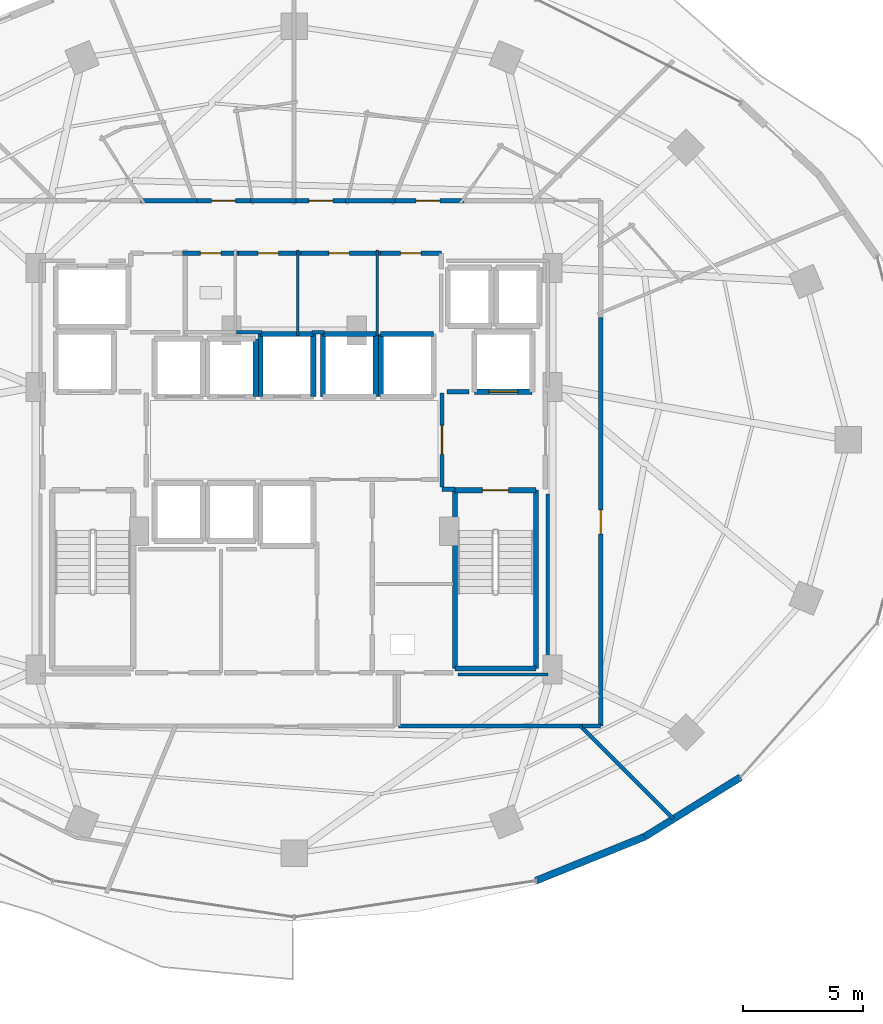
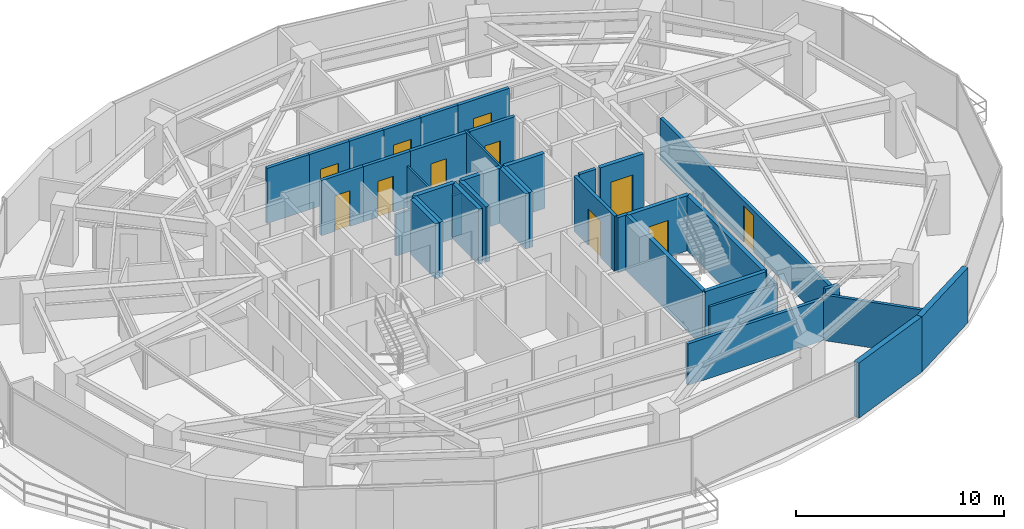
# One storey, part 26 of 31: 39 walls, 11 doors, 11 openings.
"""IFC4 building model written with IfcOpenShell, lengths in metres."""

from ifc_helpers import new_model, si_unit, direction, frame, frame_2d, origin, place, context, subcontext, project, spatial, rectangle, extrude, material, layer, layer_set, type_object, element, fill, save


model = new_model("IFC4")

# Units and contexts
model_context = context("Model", 3, precision=1e-05, world=origin(), true_north=direction((0.0, 1.0)))
body_context = subcontext(model_context, "Body", "Model", "MODEL_VIEW")
ifc_project = project(units=[si_unit("LENGTHUNIT", "METRE"), si_unit("AREAUNIT", "SQUARE_METRE"), si_unit("VOLUMEUNIT", "CUBIC_METRE"), si_unit("PLANEANGLEUNIT", "RADIAN"), si_unit("MASSUNIT", "GRAM", prefix="KILO")], contexts=[model_context])

# Site, building, storey
site_placement = place(None, origin())
site = spatial("IfcSite", under=ifc_project, at=site_placement, CompositionType="ELEMENT")
building_placement = place(site_placement, origin())
building = spatial("IfcBuilding", under=site, at=building_placement, Name="Vorneva Point Tower", CompositionType="ELEMENT")
storey_placement = place(building_placement, frame((0.0, 0.0, 103.300048828125)))
storey = spatial("IfcBuildingStorey", under=building, at=storey_placement, Name="L27", CompositionType="ELEMENT", Elevation=103.300048828125)

# Wall, opening, door
ifc_material_1 = material(Name="Concrete B60 (C50/60)", Category="concrete")
ifc_layer_1 = layer(ifc_material_1, 0.5)
ifc_layer_set_1 = layer_set([ifc_layer_1], Name="Concrete B60 (C50/60)")
wall_type_1 = type_object("IfcWallType", Name="WL-CORE-500", PredefinedType="SHEAR", material=ifc_layer_set_1)
wall_1_placement = place(storey_placement, frame((45.5, 28.0, 0.0), z_axis=(0.0, 0.0, 1.0), x_axis=(1.0, 0.0, 0.0)))
wall_1 = element("IfcWall", 1, at=wall_1_placement, inside=storey, type_object=wall_type_1, Name="L27 Lift FFL2 Shaft Wall -Y", PredefinedType="SHEAR", context=body_context, shape_type="SweptSolid", body=[
    extrude(rectangle(XDim=2.39990234375, YDim=0.219970703125, at=frame_2d((1.199951171875, 0.0))), origin(), (0.0, 0.0, 1.0), 3.239990234375),
])
opening_1_placement = place(wall_1_placement, frame((0.60009765625, 0.0, 0.0)))
opening_1 = element("IfcOpeningElement", 2, at=opening_1_placement, cuts=wall_1, Name="Opening LD-02", PredefinedType="OPENING", context=body_context, shape_type="SweptSolid", body=[
    extrude(rectangle(XDim=1.199951171875, YDim=2.199951171875, at=frame_2d((0.60009765625, 1.10009765625))), frame((0.0, 0.125, 0.0), z_axis=(0.0, -1.0, 0.0), x_axis=(1.0, 0.0, 0.0)), (0.0, 0.0, 1.0), 0.249755859375),
])
ifc_material_2 = material(Name="Brushed stainless steel S304", Category="steel")
door_type_1 = type_object("IfcDoorType", Name="LD-FIRE-1200", OperationType="SLIDING_TO_LEFT", PredefinedType="DOOR", material=ifc_material_2)
door_1_placement = place(opening_1_placement, origin())
door_1 = element("IfcDoor", 3, at=door_1_placement, inside=storey, type_object=door_type_1, Name="L27 Lift FFL2 Sliding Landing Door", OperationType="SLIDING_TO_LEFT", OverallHeight=2.199951171875, OverallWidth=1.199951171875, PredefinedType="DOOR", context=body_context, shape_type="SweptSolid", body=[
    extrude(rectangle(XDim=1.199951171875, YDim=2.199951171875, at=frame_2d((0.60009765625, 1.10009765625))), frame((0.0, 0.02490234375, 0.0), z_axis=(0.0, -1.0, 0.0), x_axis=(1.0, 0.0, 0.0)), (0.0, 0.0, 1.0), 0.050048828125),
])
fill(opening_1, door_1)

# Walls
ifc_material_3 = material(Name="Precast concrete B50 (C40/50)", Category="concrete")
ifc_layer_2 = layer(ifc_material_3, 0.300048828125)
ifc_layer_set_2 = layer_set([ifc_layer_2], Name="Precast concrete B50 (C40/50)")
wall_type_2 = type_object("IfcWallType", Name="WL-EXT-300", PredefinedType="STANDARD", material=ifc_layer_set_2)
wall_2_placement = place(storey_placement, frame((48.04541015625, 7.660888671875, 0.0), z_axis=(0.0, 0.0, 1.0), x_axis=(0.927122233109, 0.374759075775, 0.0)))
element("IfcWall", 4, at=wall_2_placement, inside=storey, type_object=wall_type_2, Name="L27 Pale-Metal Facade Spandrel Wall 14.1", PredefinedType="STANDARD", context=body_context, shape_type="SweptSolid", body=[
    extrude(rectangle(XDim=4.89501953125, YDim=0.300048828125, at=frame_2d((2.447509765625, 0.0))), origin(), (0.0, 0.0, 1.0), 3.239990234375),
])
wall_3_placement = place(storey_placement, frame((52.583740234375, 9.495361328125, 0.0), z_axis=(0.0, 0.0, 1.0), x_axis=(0.849684479743, 0.527291461038, 0.0)))
element("IfcWall", 5, at=wall_3_placement, inside=storey, type_object=wall_type_2, Name="L27 Pale-Metal Facade Spandrel Wall 14.2", PredefinedType="STANDARD", context=body_context, shape_type="SweptSolid", body=[
    extrude(rectangle(XDim=4.681396484375, YDim=0.300048828125, at=frame_2d((2.3408203125, 0.0))), origin(), (0.0, 0.0, 1.0), 3.239990234375),
])
ifc_material_4 = material(Name="Fire-rated acoustic gypsum stud partition", Category="gypsum")
ifc_layer_3 = layer(ifc_material_4, 0.110107421875)
ifc_layer_set_3 = layer_set([ifc_layer_3], Name="Fire-rated acoustic gypsum stud partition")
wall_type_3 = type_object("IfcWallType", Name="WL-PART-110", PredefinedType="PARTITIONING", material=ifc_layer_set_3)
wall_4_placement = place(storey_placement, frame((38.14990234375, 30.340087890625, 0.0), z_axis=(0.0, 0.0, 1.0), x_axis=(0.0, 1.0, 0.0)))
element("IfcWall", 6, at=wall_4_placement, inside=storey, type_object=wall_type_3, Name="L27 Interior Partition 019", PredefinedType="PARTITIONING", context=body_context, shape_type="SweptSolid", body=[
    extrude(rectangle(XDim=3.559814453125, YDim=0.110107421875, at=frame_2d((1.77978515625, 0.0))), origin(), (0.0, 0.0, 1.0), 2.431884765625),
])
wall_5_placement = place(storey_placement, frame((41.449951171875, 30.340087890625, 0.0), z_axis=(0.0, 0.0, 1.0), x_axis=(0.0, 1.0, 0.0)))
element("IfcWall", 7, at=wall_5_placement, inside=storey, type_object=wall_type_3, Name="L27 Interior Partition 021", PredefinedType="PARTITIONING", context=body_context, shape_type="SweptSolid", body=[
    extrude(rectangle(XDim=3.559814453125, YDim=0.110107421875, at=frame_2d((1.77978515625, 0.0))), origin(), (0.0, 0.0, 1.0), 3.239990234375),
])
ifc_layer_4 = layer(ifc_material_4, 0.139892578125)
ifc_layer_set_4 = layer_set([ifc_layer_4], Name="Fire-rated acoustic gypsum stud partition")
wall_type_4 = type_object("IfcWallType", Name="WL-PART-140", PredefinedType="PARTITIONING", material=ifc_layer_set_4)
wall_6_placement = place(storey_placement, frame((35.60009765625, 30.47998046875, 0.0), z_axis=(0.0, 0.0, 1.0), x_axis=(1.0, 0.0, 0.0)))
element("IfcWall", 8, at=wall_6_placement, inside=storey, type_object=wall_type_4, Name="L27 Interior Closure Partition 099", PredefinedType="PARTITIONING", context=body_context, shape_type="SweptSolid", body=[
    extrude(rectangle(XDim=1.06494140625, YDim=0.139892578125, at=frame_2d((0.532470703125, 0.0))), origin(), (0.0, 0.0, 1.0), 2.431884765625),
])
wall_7_placement = place(storey_placement, frame((38.735107421875, 30.47998046875, 0.0), z_axis=(0.0, 0.0, 1.0), x_axis=(1.0, 0.0, 0.0)))
element("IfcWall", 9, at=wall_7_placement, inside=storey, type_object=wall_type_4, Name="L27 Interior Closure Partition 100", PredefinedType="PARTITIONING", context=body_context, shape_type="SweptSolid", body=[
    extrude(rectangle(XDim=0.52978515625, YDim=0.139892578125, at=frame_2d((0.264892578125, 0.0))), origin(), (0.0, 0.0, 1.0), 2.431884765625),
])
wall_8_placement = place(storey_placement, frame((48.550048828125, 23.75390625, 0.0), z_axis=(0.0, 0.0, 1.0), x_axis=(0.0, -1.0, 0.0)))
element("IfcWall", 10, at=wall_8_placement, inside=storey, type_object=wall_type_4, Name="L27 Interior Closure Partition 106", PredefinedType="PARTITIONING", context=body_context, shape_type="SweptSolid", body=[
    extrude(rectangle(XDim=7.513916015625, YDim=0.139892578125, at=frame_2d((3.7568359375, 0.0))), origin(), (0.0, 0.0, 1.0), 2.431884765625),
])
wall_9_placement = place(storey_placement, frame((48.550048828125, 16.239990234375, 0.0), z_axis=(0.0, 0.0, 1.0), x_axis=(-1.0, 0.0, 0.0)))
element("IfcWall", 11, at=wall_9_placement, inside=storey, type_object=wall_type_4, Name="L27 Interior Closure Partition 107", PredefinedType="PARTITIONING", context=body_context, shape_type="SweptSolid", body=[
    extrude(rectangle(XDim=3.7451171875, YDim=0.139892578125, at=frame_2d((1.87255859375, 0.0))), origin(), (0.0, 0.0, 1.0), 2.431884765625),
])
ifc_layer_5 = layer(ifc_material_4, 0.159912109375)
ifc_layer_set_5 = layer_set([ifc_layer_5], Name="Fire-rated acoustic gypsum stud partition")
wall_type_5 = type_object("IfcWallType", Name="WL-PART-160", PredefinedType="PARTITIONING", material=ifc_layer_set_5)
wall_10_placement = place(storey_placement, frame((53.76806640625, 10.23193359375, 0.0), z_axis=(0.0, 0.0, 1.0), x_axis=(-0.707106781187, 0.707106781187, 0.0)))
element("IfcWall", 12, at=wall_10_placement, inside=storey, type_object=wall_type_5, Name="L27 Interior Partition 094", PredefinedType="PARTITIONING", context=body_context, shape_type="SweptSolid", body=[
    extrude(rectangle(XDim=5.470458984375, YDim=0.159912109375, at=frame_2d((2.7353515625, 0.0))), origin(), (0.0, 0.0, 1.0), 2.677001953125),
])

# Wall, opening, door
ifc_material_5 = material(Name="Autoclaved aerated concrete blockwork", Category="masonry")
ifc_layer_6 = layer(ifc_material_5, 0.179931640625)
ifc_layer_set_6 = layer_set([ifc_layer_6], Name="Autoclaved aerated concrete blockwork")
wall_type_6 = type_object("IfcWallType", Name="WL-PART-180", PredefinedType="PARTITIONING", material=ifc_layer_set_6)
wall_11_placement = place(storey_placement, frame((44.14990234375, 27.955078125, 0.0), z_axis=(0.0, 0.0, 1.0), x_axis=(0.0, -1.0, 0.0)))
wall_11 = element("IfcWall", 13, at=wall_11_placement, inside=storey, type_object=wall_type_6, Name="L27 Interior Partition 003", PredefinedType="PARTITIONING", context=body_context, shape_type="SweptSolid", body=[
    extrude(rectangle(XDim=3.91015625, YDim=0.179931640625, at=frame_2d((1.955078125, 0.0))), origin(), (0.0, 0.0, 1.0), 3.239990234375),
])
opening_2_placement = place(wall_11_placement, frame((1.35498046875, 0.0, 0.0)))
opening_2 = element("IfcOpeningElement", 14, at=opening_2_placement, cuts=wall_11, Name="Opening FD-02", PredefinedType="OPENING", context=body_context, shape_type="SweptSolid", body=[
    extrude(rectangle(XDim=1.199951171875, YDim=2.14990234375, at=frame_2d((0.60009765625, 1.074951171875))), frame((0.0, 0.10498046875, 0.0), z_axis=(0.0, -1.0, 0.0), x_axis=(1.0, 0.0, 0.0)), (0.0, 0.0, 1.0), 0.209716796875),
])
ifc_material_6 = material(Name="Fire-rated powder-coated steel", Category="steel")
door_type_2 = type_object("IfcDoorType", Name="DR-FFL-1200", OperationType="NOTDEFINED", PredefinedType="DOOR", material=ifc_material_6)
door_2_placement = place(opening_2_placement, origin())
door_2 = element("IfcDoor", 15, at=door_2_placement, inside=storey, type_object=door_type_2, Name="L27 Door East Firefighting Lobby / Central Lift Lobby", OperationType="SINGLE_SWING_RIGHT", OverallHeight=2.14990234375, OverallWidth=1.199951171875, PredefinedType="DOOR", context=body_context, shape_type="SweptSolid", body=[
    extrude(rectangle(XDim=1.199951171875, YDim=2.14990234375, at=frame_2d((0.60009765625, 1.074951171875))), frame((0.0, 0.02490234375, 0.0), z_axis=(0.0, -1.0, 0.0), x_axis=(1.0, 0.0, 0.0)), (0.0, 0.0, 1.0), 0.050048828125),
])
fill(opening_2, door_2)

# Wall
wall_12_placement = place(storey_placement, frame((44.14990234375, 23.949951171875, 0.0), z_axis=(0.0, 0.0, 1.0), x_axis=(1.0, 0.0, 0.0)))
element("IfcWall", 16, at=wall_12_placement, inside=storey, type_object=wall_type_6, Name="L27 Interior Partition 004", PredefinedType="PARTITIONING", context=body_context, shape_type="SweptSolid", body=[
    extrude(rectangle(XDim=0.5400390625, YDim=0.179931640625, at=frame_2d((0.27001953125, 0.0))), origin(), (0.0, 0.0, 1.0), 3.239990234375),
])

# Wall, opening, door
wall_13_placement = place(storey_placement, frame((35.68994140625, 33.760009765625, 0.0), z_axis=(0.0, 0.0, 1.0), x_axis=(-1.0, 0.0, 0.0)))
wall_13 = element("IfcWall", 17, at=wall_13_placement, inside=storey, type_object=wall_type_6, Name="L27 Interior Partition 018", PredefinedType="PARTITIONING", context=body_context, shape_type="SweptSolid", body=[
    extrude(rectangle(XDim=2.329833984375, YDim=0.179931640625, at=frame_2d((1.1650390625, 0.0))), origin(), (0.0, 0.0, 1.0), 3.239990234375),
])
opening_3_placement = place(wall_13_placement, frame((0.739990234375, 0.0, 0.0)))
opening_3 = element("IfcOpeningElement", 18, at=opening_3_placement, cuts=wall_13, Name="Opening ID-02", PredefinedType="OPENING", context=body_context, shape_type="SweptSolid", body=[
    extrude(rectangle(XDim=0.85009765625, YDim=2.10009765625, at=frame_2d((0.425048828125, 1.050048828125))), frame((0.0, 0.10498046875, 0.0), z_axis=(0.0, -1.0, 0.0), x_axis=(1.0, 0.0, 0.0)), (0.0, 0.0, 1.0), 0.209716796875),
])
ifc_material_7 = material(Name="Engineered oak fire-rated door leaf", Category="wood")
door_type_3 = type_object("IfcDoorType", Name="DR-BATH-850", OperationType="NOTDEFINED", PredefinedType="DOOR", material=ifc_material_7)
door_3_placement = place(opening_3_placement, origin())
door_3 = element("IfcDoor", 19, at=door_3_placement, inside=storey, type_object=door_type_3, Name="L27 Door Accessible WC / L27 Circulation Corridor", OperationType="SINGLE_SWING_RIGHT", OverallHeight=2.10009765625, OverallWidth=0.85009765625, PredefinedType="DOOR", context=body_context, shape_type="SweptSolid", body=[
    extrude(rectangle(XDim=0.85009765625, YDim=2.10009765625, at=frame_2d((0.425048828125, 1.050048828125))), frame((0.0, 0.02490234375, 0.0), z_axis=(0.0, -1.0, 0.0), x_axis=(1.0, 0.0, 0.0)), (0.0, 0.0, 1.0), 0.050048828125),
])
fill(opening_3, door_3)

wall_14_placement = place(storey_placement, frame((38.2900390625, 33.760009765625, 0.0), z_axis=(0.0, 0.0, 1.0), x_axis=(-1.0, 0.0, 0.0)))
wall_14 = element("IfcWall", 20, at=wall_14_placement, inside=storey, type_object=wall_type_6, Name="L27 Interior Partition 020", PredefinedType="PARTITIONING", context=body_context, shape_type="SweptSolid", body=[
    extrude(rectangle(XDim=2.739990234375, YDim=0.179931640625, at=frame_2d((1.3701171875, 0.0))), origin(), (0.0, 0.0, 1.0), 3.239990234375),
])
opening_4_placement = place(wall_14_placement, frame((0.945068359375, 0.0, 0.0)))
opening_4 = element("IfcOpeningElement", 21, at=opening_4_placement, cuts=wall_14, Name="Opening ID-02", PredefinedType="OPENING", context=body_context, shape_type="SweptSolid", body=[
    extrude(rectangle(XDim=0.85009765625, YDim=2.10009765625, at=frame_2d((0.425048828125, 1.050048828125))), frame((0.0, 0.10498046875, 0.0), z_axis=(0.0, -1.0, 0.0), x_axis=(1.0, 0.0, 0.0)), (0.0, 0.0, 1.0), 0.209716796875),
])
door_4_placement = place(opening_4_placement, origin())
door_4 = element("IfcDoor", 22, at=door_4_placement, inside=storey, type_object=door_type_3, Name="L27 Door Public Male WC / L27 Circulation Corridor", OperationType="SINGLE_SWING_LEFT", OverallHeight=2.10009765625, OverallWidth=0.85009765625, PredefinedType="DOOR", context=body_context, shape_type="SweptSolid", body=[
    extrude(rectangle(XDim=0.85009765625, YDim=2.10009765625, at=frame_2d((0.425048828125, 1.050048828125))), frame((0.0, 0.02490234375, 0.0), z_axis=(0.0, -1.0, 0.0), x_axis=(1.0, 0.0, 0.0)), (0.0, 0.0, 1.0), 0.050048828125),
])
fill(opening_4, door_4)

wall_15_placement = place(storey_placement, frame((41.590087890625, 33.760009765625, 0.0), z_axis=(0.0, 0.0, 1.0), x_axis=(-1.0, 0.0, 0.0)))
wall_15 = element("IfcWall", 23, at=wall_15_placement, inside=storey, type_object=wall_type_6, Name="L27 Interior Partition 022", PredefinedType="PARTITIONING", context=body_context, shape_type="SweptSolid", body=[
    extrude(rectangle(XDim=3.440185546875, YDim=0.179931640625, at=frame_2d((1.72021484375, 0.0))), origin(), (0.0, 0.0, 1.0), 3.239990234375),
])
opening_5_placement = place(wall_15_placement, frame((1.294921875, 0.0, 0.0)))
opening_5 = element("IfcOpeningElement", 24, at=opening_5_placement, cuts=wall_15, Name="Opening ID-02", PredefinedType="OPENING", context=body_context, shape_type="SweptSolid", body=[
    extrude(rectangle(XDim=0.85009765625, YDim=2.10009765625, at=frame_2d((0.425048828125, 1.050048828125))), frame((0.0, 0.10498046875, 0.0), z_axis=(0.0, -1.0, 0.0), x_axis=(1.0, 0.0, 0.0)), (0.0, 0.0, 1.0), 0.209716796875),
])
door_5_placement = place(opening_5_placement, origin())
door_5 = element("IfcDoor", 25, at=door_5_placement, inside=storey, type_object=door_type_3, Name="L27 Door Public Female WC / L27 Circulation Corridor", OperationType="SINGLE_SWING_RIGHT", OverallHeight=2.10009765625, OverallWidth=0.85009765625, PredefinedType="DOOR", context=body_context, shape_type="SweptSolid", body=[
    extrude(rectangle(XDim=0.85009765625, YDim=2.10009765625, at=frame_2d((0.425048828125, 1.050048828125))), frame((0.0, 0.02490234375, 0.0), z_axis=(0.0, -1.0, 0.0), x_axis=(1.0, 0.0, 0.0)), (0.0, 0.0, 1.0), 0.050048828125),
])
fill(opening_5, door_5)

wall_16_placement = place(storey_placement, frame((44.1201171875, 33.760009765625, 0.0), z_axis=(0.0, 0.0, 1.0), x_axis=(-1.0, 0.0, 0.0)))
wall_16 = element("IfcWall", 26, at=wall_16_placement, inside=storey, type_object=wall_type_6, Name="L27 Interior Partition 023", PredefinedType="PARTITIONING", context=body_context, shape_type="SweptSolid", body=[
    extrude(rectangle(XDim=2.530029296875, YDim=0.179931640625, at=frame_2d((1.26513671875, 0.0))), origin(), (0.0, 0.0, 1.0), 3.239990234375),
])
opening_6_placement = place(wall_16_placement, frame((0.840087890625, 0.0, 0.0)))
opening_6 = element("IfcOpeningElement", 27, at=opening_6_placement, cuts=wall_16, Name="Opening ID-02", PredefinedType="OPENING", context=body_context, shape_type="SweptSolid", body=[
    extrude(rectangle(XDim=0.85009765625, YDim=2.10009765625, at=frame_2d((0.425048828125, 1.050048828125))), frame((0.0, 0.10498046875, 0.0), z_axis=(0.0, -1.0, 0.0), x_axis=(1.0, 0.0, 0.0)), (0.0, 0.0, 1.0), 0.209716796875),
])
door_6_placement = place(opening_6_placement, origin())
door_6 = element("IfcDoor", 28, at=door_6_placement, inside=storey, type_object=door_type_3, Name="L27 Door Cleaners Store / L27 Circulation Corridor", OperationType="SINGLE_SWING_LEFT", OverallHeight=2.10009765625, OverallWidth=0.85009765625, PredefinedType="DOOR", context=body_context, shape_type="SweptSolid", body=[
    extrude(rectangle(XDim=0.85009765625, YDim=2.10009765625, at=frame_2d((0.425048828125, 1.050048828125))), frame((0.0, 0.02490234375, 0.0), z_axis=(0.0, -1.0, 0.0), x_axis=(1.0, 0.0, 0.0)), (0.0, 0.0, 1.0), 0.050048828125),
])
fill(opening_6, door_6)

wall_17_placement = place(storey_placement, frame((45.06591796875, 35.949951171875, 0.0), z_axis=(0.0, 0.0, 1.0), x_axis=(-1.0, 0.0, 0.0)))
wall_17 = element("IfcWall", 29, at=wall_17_placement, inside=storey, type_object=wall_type_6, Name="L27 Interior Partition 031", PredefinedType="PARTITIONING", context=body_context, shape_type="SweptSolid", body=[
    extrude(rectangle(XDim=3.0048828125, YDim=0.179931640625, at=frame_2d((1.50244140625, 0.0))), origin(), (0.0, 0.0, 1.0), 3.239990234375),
])
opening_7_placement = place(wall_17_placement, frame((1.00244140625, 0.0, 0.0)))
opening_7 = element("IfcOpeningElement", 30, at=opening_7_placement, cuts=wall_17, Name="Opening UD-01", PredefinedType="OPENING", context=body_context, shape_type="SweptSolid", body=[
    extrude(rectangle(XDim=1.0, YDim=2.14990234375, at=frame_2d((0.5, 1.074951171875))), frame((0.0, 0.10498046875, 0.0), z_axis=(0.0, -1.0, 0.0), x_axis=(1.0, 0.0, 0.0)), (0.0, 0.0, 1.0), 0.209716796875),
])
door_type_4 = type_object("IfcDoorType", Name="DR-UNIT-1000", OperationType="NOTDEFINED", PredefinedType="DOOR", material=ifc_material_7)
door_7_placement = place(opening_7_placement, origin())
door_7 = element("IfcDoor", 31, at=door_7_placement, inside=storey, type_object=door_type_4, Name="L27 Door L27 Circulation Corridor / Twin Guest Room L27-02", OperationType="SINGLE_SWING_LEFT", OverallHeight=2.14990234375, OverallWidth=1.0, PredefinedType="DOOR", context=body_context, shape_type="SweptSolid", body=[
    extrude(rectangle(XDim=1.0, YDim=2.14990234375, at=frame_2d((0.5, 1.074951171875))), frame((0.0, 0.02490234375, 0.0), z_axis=(0.0, -1.0, 0.0), x_axis=(1.0, 0.0, 0.0)), (0.0, 0.0, 1.0), 0.050048828125),
])
fill(opening_7, door_7)

wall_18_placement = place(storey_placement, frame((40.284912109375, 35.949951171875, 0.0), z_axis=(0.0, 0.0, 1.0), x_axis=(-1.0, 0.0, 0.0)))
wall_18 = element("IfcWall", 32, at=wall_18_placement, inside=storey, type_object=wall_type_6, Name="L27 Interior Partition 033", PredefinedType="PARTITIONING", context=body_context, shape_type="SweptSolid", body=[
    extrude(rectangle(XDim=2.344970703125, YDim=0.179931640625, at=frame_2d((1.17236328125, 0.0))), origin(), (0.0, 0.0, 1.0), 3.239990234375),
])
opening_8_placement = place(wall_18_placement, frame((0.672607421875, 0.0, 0.0)))
opening_8 = element("IfcOpeningElement", 33, at=opening_8_placement, cuts=wall_18, Name="Opening UD-01", PredefinedType="OPENING", context=body_context, shape_type="SweptSolid", body=[
    extrude(rectangle(XDim=1.0, YDim=2.14990234375, at=frame_2d((0.5, 1.074951171875))), frame((0.0, 0.10498046875, 0.0), z_axis=(0.0, -1.0, 0.0), x_axis=(1.0, 0.0, 0.0)), (0.0, 0.0, 1.0), 0.209716796875),
])
door_8_placement = place(opening_8_placement, origin())
door_8 = element("IfcDoor", 34, at=door_8_placement, inside=storey, type_object=door_type_4, Name="L27 Door L27 Circulation Corridor / Deluxe Guest Room L27-03", OperationType="SINGLE_SWING_RIGHT", OverallHeight=2.14990234375, OverallWidth=1.0, PredefinedType="DOOR", context=body_context, shape_type="SweptSolid", body=[
    extrude(rectangle(XDim=1.0, YDim=2.14990234375, at=frame_2d((0.5, 1.074951171875))), frame((0.0, 0.02490234375, 0.0), z_axis=(0.0, -1.0, 0.0), x_axis=(1.0, 0.0, 0.0)), (0.0, 0.0, 1.0), 0.050048828125),
])
fill(opening_8, door_8)

# Wall
wall_19_placement = place(storey_placement, frame((42.200927734375, 35.949951171875, 0.0), z_axis=(0.0, 0.0, 1.0), x_axis=(-1.0, 0.0, 0.0)))
element("IfcWall", 35, at=wall_19_placement, inside=storey, type_object=wall_type_6, Name="L27 Interior Partition 034", PredefinedType="PARTITIONING", context=body_context, shape_type="SweptSolid", body=[
    extrude(rectangle(XDim=2.055908203125, YDim=0.179931640625, at=frame_2d((1.02783203125, 0.0))), origin(), (0.0, 0.0, 1.0), 3.239990234375),
])

# Wall, opening, door
wall_20_placement = place(storey_placement, frame((36.322998046875, 35.949951171875, 0.0), z_axis=(0.0, 0.0, 1.0), x_axis=(-1.0, 0.0, 0.0)))
wall_20 = element("IfcWall", 36, at=wall_20_placement, inside=storey, type_object=wall_type_6, Name="L27 Interior Partition 035", PredefinedType="PARTITIONING", context=body_context, shape_type="SweptSolid", body=[
    extrude(rectangle(XDim=2.509033203125, YDim=0.179931640625, at=frame_2d((1.25439453125, 0.0))), origin(), (0.0, 0.0, 1.0), 3.239990234375),
])
opening_9_placement = place(wall_20_placement, frame((0.75439453125, 0.0, 0.0)))
opening_9 = element("IfcOpeningElement", 37, at=opening_9_placement, cuts=wall_20, Name="Opening UD-01", PredefinedType="OPENING", context=body_context, shape_type="SweptSolid", body=[
    extrude(rectangle(XDim=1.0, YDim=2.14990234375, at=frame_2d((0.5, 1.074951171875))), frame((0.0, 0.10498046875, 0.0), z_axis=(0.0, -1.0, 0.0), x_axis=(1.0, 0.0, 0.0)), (0.0, 0.0, 1.0), 0.209716796875),
])
door_9_placement = place(opening_9_placement, origin())
door_9 = element("IfcDoor", 38, at=door_9_placement, inside=storey, type_object=door_type_4, Name="L27 Door L27 Circulation Corridor / King Guest Room L27-04", OperationType="SINGLE_SWING_LEFT", OverallHeight=2.14990234375, OverallWidth=1.0, PredefinedType="DOOR", context=body_context, shape_type="SweptSolid", body=[
    extrude(rectangle(XDim=1.0, YDim=2.14990234375, at=frame_2d((0.5, 1.074951171875))), frame((0.0, 0.02490234375, 0.0), z_axis=(0.0, -1.0, 0.0), x_axis=(1.0, 0.0, 0.0)), (0.0, 0.0, 1.0), 0.050048828125),
])
fill(opening_9, door_9)

# Walls
wall_21_placement = place(storey_placement, frame((38.080078125, 35.949951171875, 0.0), z_axis=(0.0, 0.0, 1.0), x_axis=(-1.0, 0.0, 0.0)))
element("IfcWall", 39, at=wall_21_placement, inside=storey, type_object=wall_type_6, Name="L27 Interior Partition 036", PredefinedType="PARTITIONING", context=body_context, shape_type="SweptSolid", body=[
    extrude(rectangle(XDim=1.89697265625, YDim=0.179931640625, at=frame_2d((0.948486328125, 0.0))), origin(), (0.0, 0.0, 1.0), 3.239990234375),
])
wall_22_placement = place(storey_placement, frame((33.9541015625, 35.949951171875, 0.0), z_axis=(0.0, 0.0, 1.0), x_axis=(-1.0, 0.0, 0.0)))
element("IfcWall", 40, at=wall_22_placement, inside=storey, type_object=wall_type_6, Name="L27 Interior Partition 038", PredefinedType="PARTITIONING", context=body_context, shape_type="SweptSolid", body=[
    extrude(rectangle(XDim=2.34814453125, YDim=0.179931640625, at=frame_2d((1.174072265625, 0.0))), origin(), (0.0, 0.0, 1.0), 3.239990234375),
])
wall_23_placement = place(storey_placement, frame((42.340087890625, 14.10009765625, 0.0), z_axis=(0.0, 0.0, 1.0), x_axis=(1.0, 0.0, 0.0)))
element("IfcWall", 41, at=wall_23_placement, inside=storey, type_object=wall_type_6, Name="L27 Interior Partition 048", PredefinedType="PARTITIONING", context=body_context, shape_type="SweptSolid", body=[
    extrude(rectangle(XDim=7.64501953125, YDim=0.179931640625, at=frame_2d((3.822509765625, 0.0))), origin(), (0.0, 0.0, 1.0), 2.431884765625),
])
wall_24_placement = place(storey_placement, frame((49.985107421875, 14.10009765625, 0.0), z_axis=(0.0, 0.0, 1.0), x_axis=(1.0, 0.0, 0.0)))
element("IfcWall", 42, at=wall_24_placement, inside=storey, type_object=wall_type_6, Name="L27 Interior Partition 051", PredefinedType="PARTITIONING", context=body_context, shape_type="SweptSolid", body=[
    extrude(rectangle(XDim=0.764892578125, YDim=0.179931640625, at=frame_2d((0.38232421875, 0.0))), origin(), (0.0, 0.0, 1.0), 2.971923828125),
])

# Wall, opening, door
wall_25_placement = place(storey_placement, frame((50.75, 14.10009765625, 0.0), z_axis=(0.0, 0.0, 1.0), x_axis=(0.0, 1.0, 0.0)))
wall_25 = element("IfcWall", 43, at=wall_25_placement, inside=storey, type_object=wall_type_6, Name="L27 Interior Partition 052", PredefinedType="PARTITIONING", context=body_context, shape_type="SweptSolid", body=[
    extrude(rectangle(XDim=16.98095703125, YDim=0.179931640625, at=frame_2d((8.490478515625, 0.0))), origin(), (0.0, 0.0, 1.0), 2.431884765625),
])
opening_10_placement = place(wall_25_placement, frame((7.990478515625, 0.0, 0.0)))
opening_10 = element("IfcOpeningElement", 44, at=opening_10_placement, cuts=wall_25, Name="Opening UD-01", PredefinedType="OPENING", context=body_context, shape_type="SweptSolid", body=[
    extrude(rectangle(XDim=1.0, YDim=2.14990234375, at=frame_2d((0.5, 1.074951171875))), frame((0.0, 0.10498046875, 0.0), z_axis=(0.0, -1.0, 0.0), x_axis=(1.0, 0.0, 0.0)), (0.0, 0.0, 1.0), 0.209716796875),
])
door_10_placement = place(opening_10_placement, origin())
door_10 = element("IfcDoor", 45, at=door_10_placement, inside=storey, type_object=door_type_4, Name="L27 Door L27 Circulation Corridor / Executive Meeting Room L27-10", OperationType="SINGLE_SWING_LEFT", OverallHeight=2.14990234375, OverallWidth=1.0, PredefinedType="DOOR", context=body_context, shape_type="SweptSolid", body=[
    extrude(rectangle(XDim=1.0, YDim=2.14990234375, at=frame_2d((0.5, 1.074951171875))), frame((0.0, 0.02490234375, 0.0), z_axis=(0.0, -1.0, 0.0), x_axis=(1.0, 0.0, 0.0)), (0.0, 0.0, 1.0), 0.050048828125),
])
fill(opening_10, door_10)

# Wall
wall_26_placement = place(storey_placement, frame((45.280029296875, 28.0, 0.0), z_axis=(0.0, 0.0, 1.0), x_axis=(-1.0, 0.0, 0.0)))
element("IfcWall", 46, at=wall_26_placement, inside=storey, type_object=wall_type_6, Name="L27 Interior Closure Partition 096", PredefinedType="PARTITIONING", context=body_context, shape_type="SweptSolid", body=[
    extrude(rectangle(XDim=0.9150390625, YDim=0.179931640625, at=frame_2d((0.45751953125, 0.0))), origin(), (0.0, 0.0, 1.0), 3.239990234375),
])

# Wall, opening, door
ifc_material_8 = material(Name="Concrete B50 (C40/50)", Category="concrete")
ifc_layer_7 = layer(ifc_material_8, 0.219970703125)
ifc_layer_set_7 = layer_set([ifc_layer_7], Name="Concrete B50 (C40/50)")
wall_type_7 = type_object("IfcWallType", Name="WL-SHFT-220", PredefinedType="SOLIDWALL", material=ifc_layer_set_7)
wall_27_placement = place(storey_placement, frame((44.68994140625, 23.909912109375, 0.0), z_axis=(0.0, 0.0, 1.0), x_axis=(1.0, 0.0, 0.0)))
wall_27 = element("IfcWall", 47, at=wall_27_placement, inside=storey, type_object=wall_type_7, Name="L27 Exit Stair ST2 Shaft Wall near", PredefinedType="SOLIDWALL", context=body_context, shape_type="SweptSolid", body=[
    extrude(rectangle(XDim=3.3701171875, YDim=0.219970703125, at=frame_2d((1.68505859375, 0.0))), origin(), (0.0, 0.0, 1.0), 3.239990234375),
])
opening_11_placement = place(wall_27_placement, frame((1.135009765625, 0.0, 0.0)))
opening_11 = element("IfcOpeningElement", 48, at=opening_11_placement, cuts=wall_27, Name="Opening FD-01", PredefinedType="OPENING", context=body_context, shape_type="SweptSolid", body=[
    extrude(rectangle(XDim=1.10009765625, YDim=2.14990234375, at=frame_2d((0.550048828125, 1.074951171875))), frame((0.0, 0.125, 0.0), z_axis=(0.0, -1.0, 0.0), x_axis=(1.0, 0.0, 0.0)), (0.0, 0.0, 1.0), 0.249755859375),
])
door_type_5 = type_object("IfcDoorType", Name="DR-STAIR-1100", OperationType="NOTDEFINED", PredefinedType="DOOR", material=ifc_material_6)
door_11_placement = place(opening_11_placement, origin())
door_11 = element("IfcDoor", 49, at=door_11_placement, inside=storey, type_object=door_type_5, Name="L27 Exit Stair ST2 Fire Door", OperationType="SINGLE_SWING_RIGHT", OverallHeight=2.14990234375, OverallWidth=1.10009765625, PredefinedType="DOOR", context=body_context, shape_type="SweptSolid", body=[
    extrude(rectangle(XDim=1.10009765625, YDim=2.14990234375, at=frame_2d((0.550048828125, 1.074951171875))), frame((0.0, 0.02490234375, 0.0), z_axis=(0.0, -1.0, 0.0), x_axis=(1.0, 0.0, 0.0)), (0.0, 0.0, 1.0), 0.050048828125),
])
fill(opening_11, door_11)

# Walls
wall_28_placement = place(storey_placement, frame((48.06005859375, 23.909912109375, 0.0), z_axis=(0.0, 0.0, 1.0), x_axis=(0.0, -1.0, 0.0)))
element("IfcWall", 50, at=wall_28_placement, inside=storey, type_object=wall_type_7, Name="L27 Exit Stair ST2 Shaft Wall right", PredefinedType="SOLIDWALL", context=body_context, shape_type="SweptSolid", body=[
    extrude(rectangle(XDim=7.419921875, YDim=0.219970703125, at=frame_2d((3.7099609375, 0.0))), origin(), (0.0, 0.0, 1.0), 3.239990234375),
])
wall_29_placement = place(storey_placement, frame((48.06005859375, 16.489990234375, 0.0), z_axis=(0.0, 0.0, 1.0), x_axis=(-1.0, 0.0, 0.0)))
element("IfcWall", 51, at=wall_29_placement, inside=storey, type_object=wall_type_7, Name="L27 Exit Stair ST2 Shaft Wall far", PredefinedType="SOLIDWALL", context=body_context, shape_type="SweptSolid", body=[
    extrude(rectangle(XDim=3.3701171875, YDim=0.219970703125, at=frame_2d((1.68505859375, 0.0))), origin(), (0.0, 0.0, 1.0), 3.239990234375),
])
wall_30_placement = place(storey_placement, frame((44.68994140625, 16.489990234375, 0.0), z_axis=(0.0, 0.0, 1.0), x_axis=(0.0, 1.0, 0.0)))
element("IfcWall", 52, at=wall_30_placement, inside=storey, type_object=wall_type_7, Name="L27 Exit Stair ST2 Shaft Wall left", PredefinedType="SOLIDWALL", context=body_context, shape_type="SweptSolid", body=[
    extrude(rectangle(XDim=7.419921875, YDim=0.219970703125, at=frame_2d((3.7099609375, 0.0))), origin(), (0.0, 0.0, 1.0), 3.239990234375),
])
wall_31_placement = place(storey_placement, frame((36.39990234375, 27.800048828125, 0.0), z_axis=(0.0, 0.0, 1.0), x_axis=(0.0, 1.0, 0.0)))
element("IfcWall", 53, at=wall_31_placement, inside=storey, type_object=wall_type_7, Name="L27 Lift PL2 Shaft Wall +X", PredefinedType="SOLIDWALL", context=body_context, shape_type="SweptSolid", body=[
    extrude(rectangle(XDim=2.39990234375, YDim=0.219970703125, at=frame_2d((1.199951171875, 0.0))), origin(), (0.0, 0.0, 1.0), 3.239990234375),
])
wall_32_placement = place(storey_placement, frame((38.800048828125, 27.800048828125, 0.0), z_axis=(0.0, 0.0, 1.0), x_axis=(0.0, 1.0, 0.0)))
element("IfcWall", 54, at=wall_32_placement, inside=storey, type_object=wall_type_7, Name="L27 Lift PL3 Shaft Wall +X", PredefinedType="SOLIDWALL", context=body_context, shape_type="SweptSolid", body=[
    extrude(rectangle(XDim=2.599853515625, YDim=0.219970703125, at=frame_2d((1.2998046875, 0.0))), origin(), (0.0, 0.0, 1.0), 3.239990234375),
])
wall_33_placement = place(storey_placement, frame((38.800048828125, 30.39990234375, 0.0), z_axis=(0.0, 0.0, 1.0), x_axis=(-1.0, 0.0, 0.0)))
element("IfcWall", 55, at=wall_33_placement, inside=storey, type_object=wall_type_7, Name="L27 Lift PL3 Shaft Wall +Y", PredefinedType="SOLIDWALL", context=body_context, shape_type="SweptSolid", body=[
    extrude(rectangle(XDim=2.199951171875, YDim=0.219970703125, at=frame_2d((1.10009765625, 0.0))), origin(), (0.0, 0.0, 1.0), 3.239990234375),
])
for number, where, z_axis, x_axis, name in (
    (56, (36.60009765625, 30.39990234375, 0.0), (0.0, 0.0, 1.0), (0.0, -1.0, 0.0), "L27 Lift PL3 Shaft Wall -X"),
    (57, (41.39990234375, 27.800048828125, 0.0), (0.0, 0.0, 1.0), (0.0, 1.0, 0.0), "L27 Lift PL7 Shaft Wall +X"),
):
    element("IfcWall", number, at=place(storey_placement, frame(where, z_axis=z_axis, x_axis=x_axis)), inside=storey, type_object=wall_type_7, Name=name, PredefinedType="SOLIDWALL", context=body_context, shape_type="SweptSolid", body=[
        extrude(rectangle(XDim=2.599853515625, YDim=0.219970703125, at=frame_2d((1.2998046875, 0.0))), origin(), (0.0, 0.0, 1.0), 3.239990234375),
    ])
wall_34_placement = place(storey_placement, frame((41.39990234375, 30.39990234375, 0.0), z_axis=(0.0, 0.0, 1.0), x_axis=(-1.0, 0.0, 0.0)))
element("IfcWall", 58, at=wall_34_placement, inside=storey, type_object=wall_type_7, Name="L27 Lift PL7 Shaft Wall +Y", PredefinedType="SOLIDWALL", context=body_context, shape_type="SweptSolid", body=[
    extrude(rectangle(XDim=2.199951171875, YDim=0.219970703125, at=frame_2d((1.10009765625, 0.0))), origin(), (0.0, 0.0, 1.0), 3.239990234375),
])
wall_35_placement = place(storey_placement, frame((39.199951171875, 30.39990234375, 0.0), z_axis=(0.0, 0.0, 1.0), x_axis=(0.0, -1.0, 0.0)))
element("IfcWall", 59, at=wall_35_placement, inside=storey, type_object=wall_type_7, Name="L27 Lift PL7 Shaft Wall -X", PredefinedType="SOLIDWALL", context=body_context, shape_type="SweptSolid", body=[
    extrude(rectangle(XDim=2.599853515625, YDim=0.219970703125, at=frame_2d((1.2998046875, 0.0))), origin(), (0.0, 0.0, 1.0), 3.239990234375),
])
wall_36_placement = place(storey_placement, frame((43.800048828125, 30.39990234375, 0.0), z_axis=(0.0, 0.0, 1.0), x_axis=(-1.0, 0.0, 0.0)))
element("IfcWall", 60, at=wall_36_placement, inside=storey, type_object=wall_type_7, Name="L27 Lift PL8 Shaft Wall +Y", PredefinedType="SOLIDWALL", context=body_context, shape_type="SweptSolid", body=[
    extrude(rectangle(XDim=2.199951171875, YDim=0.219970703125, at=frame_2d((1.10009765625, 0.0))), origin(), (0.0, 0.0, 1.0), 3.239990234375),
])
wall_37_placement = place(storey_placement, frame((41.60009765625, 30.39990234375, 0.0), z_axis=(0.0, 0.0, 1.0), x_axis=(0.0, -1.0, 0.0)))
element("IfcWall", 61, at=wall_37_placement, inside=storey, type_object=wall_type_7, Name="L27 Lift PL8 Shaft Wall -X", PredefinedType="SOLIDWALL", context=body_context, shape_type="SweptSolid", body=[
    extrude(rectangle(XDim=2.599853515625, YDim=0.219970703125, at=frame_2d((1.2998046875, 0.0))), origin(), (0.0, 0.0, 1.0), 3.239990234375),
])

save(model, "model.ifc")
